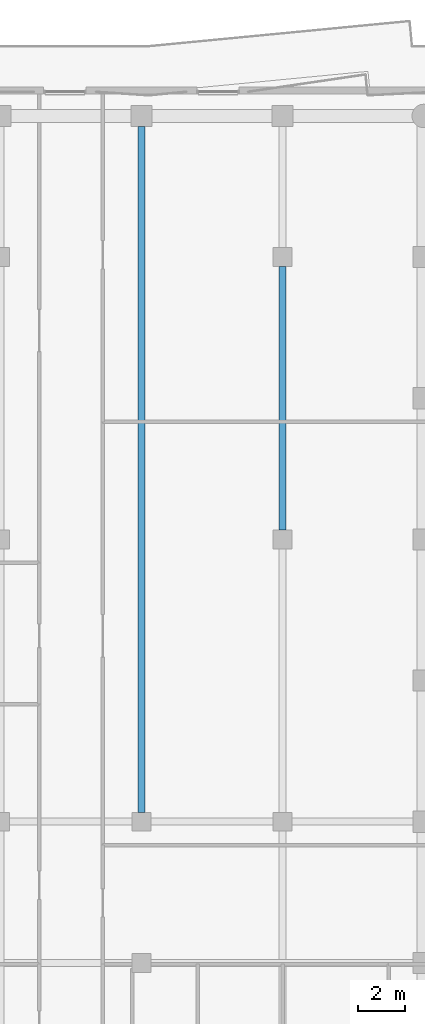
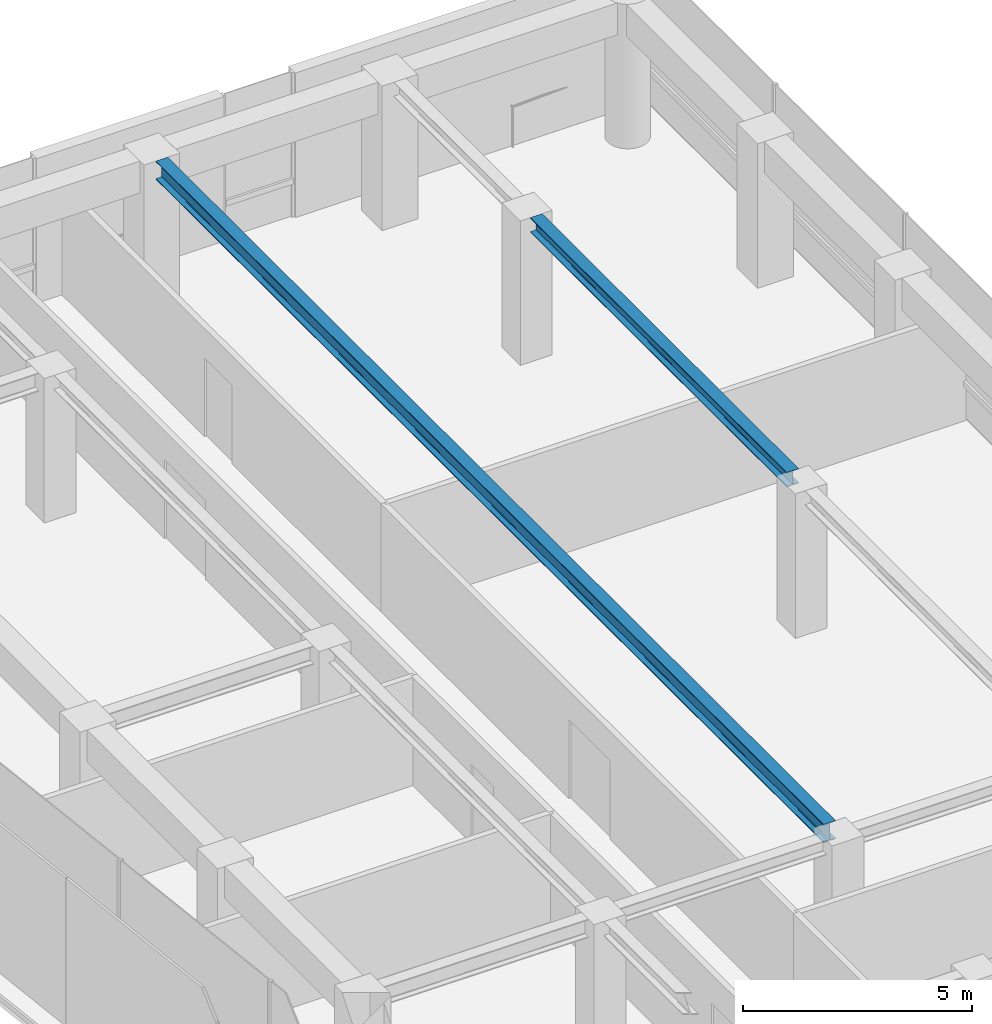
# One storey, part 12 of 23: 2 beams.
"""IFC4 building model written with IfcOpenShell, lengths in metres."""

import ifcopenshell
import ifcopenshell.guid

model = None  # the IFC model being written
_history = None  # IfcOwnerHistory: only IFC2X3 demands one
_inside = {}  # id of a spatial element -> (the spatial element, [elements in it])
_under = {}  # id of a project, library or spatial element -> (it, [spatial elements below it])
_declared = {}  # id of a project -> (the project, [libraries it declares])
_typed = {}  # id of a type object -> (the type object, [elements of that type])
_made_of = {}  # id of a material, layer set ... -> (it, [elements and type objects made of it])


def new_model(schema):
    """Start an empty IFC model of exactly this schema.

    Asked for "IFC4X3", IfcOpenShell would pick the latest addendum, in which some entities
    have other attributes; the version numbers below select the first issue.
    IFC2X3 requires an IfcOwnerHistory on every rooted entity: one is made here for all.
    """
    global model, _history
    if schema == "IFC4X3":
        model = ifcopenshell.file(schema_version=(4, 3, 0, 0))
    else:
        model = ifcopenshell.file(schema=schema)
    _inside.clear()
    _under.clear()
    _declared.clear()
    _typed.clear()
    _made_of.clear()
    _history = None
    if model.schema == "IFC2X3":
        org = make("IfcOrganization", Name="unknown")
        user = make(
            "IfcPersonAndOrganization",
            ThePerson=make("IfcPerson", FamilyName="unknown"),
            TheOrganization=org,
        )
        app = make(
            "IfcApplication",
            ApplicationDeveloper=org,
            Version="unknown",
            ApplicationFullName="unknown",
            ApplicationIdentifier="unknown",
        )
        _history = make(
            "IfcOwnerHistory",
            OwningUser=user,
            OwningApplication=app,
            ChangeAction="ADDED",
            CreationDate=0,
        )
    return model


def make(cls, **values):
    """One entity of the class cls with the attributes given. An attribute that is None is left unset."""
    return model.create_entity(
        cls, **{name: value for name, value in values.items() if value is not None}
    )


def rooted(cls, **values):
    """An entity with a GlobalId (a new one), such as an element, a storey or a relation."""
    return make(cls, GlobalId=ifcopenshell.guid.new(), OwnerHistory=_history, **values)


def si_unit(unit_type, name, prefix=None):
    """IfcSIUnit, for example si_unit("LENGTHUNIT", "METRE", prefix="MILLI")."""
    return make("IfcSIUnit", UnitType=unit_type, Prefix=prefix, Name=name)


def assignment(units):
    """IfcUnitAssignment: the units of a project."""
    return None if units is None else make("IfcUnitAssignment", Units=units)


def point(xyz):
    """IfcCartesianPoint."""
    return None if xyz is None else make("IfcCartesianPoint", Coordinates=xyz)


def direction(xyz):
    """IfcDirection."""
    return None if xyz is None else make("IfcDirection", DirectionRatios=xyz)


def frame(location, z_axis=None, x_axis=None):
    """IfcAxis2Placement3D, a coordinate frame: its origin and axes. An axis left out is left unset."""
    return make(
        "IfcAxis2Placement3D",
        Location=point(location),
        Axis=direction(z_axis),
        RefDirection=direction(x_axis),
    )


def frame_2d(location, x_axis=None):
    """IfcAxis2Placement2D, a coordinate frame in the plane: its origin and x axis."""
    return make(
        "IfcAxis2Placement2D", Location=point(location), RefDirection=direction(x_axis)
    )


def origin():
    """The frame at (0, 0, 0) with its axes left unset."""
    return frame((0.0, 0.0, 0.0))


def origin_2d():
    """The frame at (0, 0) in the plane with its x axis left unset."""
    return frame_2d((0.0, 0.0))


def place(relative_to, where):
    """IfcLocalPlacement: puts the frame where relative to a parent placement (None: the world)."""
    return make(
        "IfcLocalPlacement", PlacementRelTo=relative_to, RelativePlacement=where
    )


def context(
    kind, dimensions, precision=None, world=None, true_north=None, identifier=None
):
    """IfcGeometricRepresentationContext, for example the 3D "Model" context."""
    return make(
        "IfcGeometricRepresentationContext",
        ContextIdentifier=identifier,
        ContextType=kind,
        CoordinateSpaceDimension=dimensions,
        Precision=precision,
        WorldCoordinateSystem=world,
        TrueNorth=true_north,
    )


def subcontext(parent, identifier, kind, view, scale=None):
    """IfcGeometricRepresentationSubContext, for example "Body" below "Model"."""
    return make(
        "IfcGeometricRepresentationSubContext",
        ContextIdentifier=identifier,
        ContextType=kind,
        ParentContext=parent,
        TargetScale=scale,
        TargetView=view,
    )


def project(units=None, contexts=None):
    """IfcProject with its units and contexts."""
    return rooted(
        "IfcProject",
        Name="project",
        RepresentationContexts=contexts,
        UnitsInContext=assignment(units),
    )


def spatial(cls, under=None, at=None, **own):
    """A site, building, storey or space (cls), placed at a placement, below another one or the project."""
    s = rooted(cls, ObjectPlacement=at, **own)
    if under is not None:
        _under.setdefault(under.id(), (under, []))[1].append(s)
    return s


def profile(cls, at=None, kind="AREA", **sizes):
    """A parametric profile (cls). Its sizes go by their IFC names, for example OverallWidth=200.0."""
    return make(cls, ProfileType=kind, Position=at, **sizes)


def i_section(**sizes):
    """IfcIShapeProfileDef."""
    return profile("IfcIShapeProfileDef", **sizes)


def extrude(swept, where, along, depth):
    """IfcExtrudedAreaSolid: the profile swept, set in the frame where, extruded along a direction by depth."""
    return make(
        "IfcExtrudedAreaSolid",
        SweptArea=swept,
        Position=where,
        ExtrudedDirection=direction(along),
        Depth=depth,
    )


def shape(context_of_items, identifier, shape_type, items):
    """IfcShapeRepresentation: the items that make up one representation, for example the "Body"."""
    return make(
        "IfcShapeRepresentation",
        ContextOfItems=context_of_items,
        RepresentationIdentifier=identifier,
        RepresentationType=shape_type,
        Items=items,
    )


def material(Name=None, Category=None):
    """IfcMaterial."""
    return make("IfcMaterial", Name=Name, Category=Category)


def material_profile(
    of_material, cross_section, Name=None, Category=None, Priority=None
):
    """IfcMaterialProfile: a cross section and its material."""
    return make(
        "IfcMaterialProfile",
        Name=Name,
        Material=of_material,
        Profile=cross_section,
        Priority=Priority,
        Category=Category,
    )


def profile_set(profiles, Name=None, composite=None):
    """IfcMaterialProfileSet."""
    return make(
        "IfcMaterialProfileSet",
        Name=Name,
        MaterialProfiles=profiles,
        CompositeProfile=composite,
    )


def made_of(thing, what):
    """Note that an element or type object is made of a material, layer set ...; save() writes the relation."""
    if what is not None:
        _made_of.setdefault(what.id(), (what, []))[1].append(thing)
    return thing


def type_object(cls, material=None, **own):
    """A type object (cls), such as IfcWallType, which elements share."""
    return made_of(rooted(cls, **own), material)


def element(
    cls,
    number,
    at=None,
    inside=None,
    cuts=None,
    type_object=None,
    material=None,
    context=None,
    identifier="Body",
    shape_type=None,
    held_by="IfcProductDefinitionShape",
    body=None,
    shapes=None,
    **own,
):
    """One element of the class cls, such as IfcWall. Its Tag is "e" and its number.

    at: its placement. inside: the storey or other place that contains it. cuts: it is an
    opening in that element (IfcRelVoidsElement). A single representation is given by context,
    identifier, shape_type and body (its items); several are given by shapes. held_by: the class
    of the entity that holds the representations. save() writes the other relations.
    """
    e = rooted(cls, Tag="e%d" % number, ObjectPlacement=at, **own)
    if body is not None:
        shapes = [shape(context, identifier, shape_type, body)]
    if shapes is not None:
        e.Representation = make(held_by, Representations=shapes)
    if inside is not None:
        _inside.setdefault(inside.id(), (inside, []))[1].append(e)
    if cuts is not None:
        rooted(
            "IfcRelVoidsElement", RelatingBuildingElement=cuts, RelatedOpeningElement=e
        )
    if type_object is not None:
        _typed.setdefault(type_object.id(), (type_object, []))[1].append(e)
    return made_of(e, material)


def aggregate(whole, parts):
    """IfcRelAggregates: a whole, such as a stair, and the parts it consists of."""
    return rooted("IfcRelAggregates", RelatingObject=whole, RelatedObjects=parts)


def save(model, path):
    """Write the relations noted so far, then the file.

    IfcRelAggregates (storeys below a building ...), IfcRelContainedInSpatialStructure (elements
    in a storey), IfcRelDefinesByType, IfcRelAssociatesMaterial and IfcRelDeclares: one each for
    every whole, place, type object, material and project.
    """
    for whole, parts in _under.values():
        aggregate(whole, parts)
    for where, things in _inside.values():
        rooted(
            "IfcRelContainedInSpatialStructure",
            RelatedElements=things,
            RelatingStructure=where,
        )
    for kind, things in _typed.values():
        rooted("IfcRelDefinesByType", RelatedObjects=things, RelatingType=kind)
    for what, things in _made_of.values():
        rooted("IfcRelAssociatesMaterial", RelatedObjects=things, RelatingMaterial=what)
    for by, libraries in _declared.values():
        rooted("IfcRelDeclares", RelatingContext=by, RelatedDefinitions=libraries)
    model.write(path)


model = new_model("IFC4")

# Units and contexts
model_context = context("Model", 3, precision=1e-05, world=origin(), true_north=direction((0.0, 1.0)))
body_context = subcontext(model_context, "Body", "Model", "MODEL_VIEW")
ifc_project = project(units=[si_unit("LENGTHUNIT", "METRE"), si_unit("AREAUNIT", "SQUARE_METRE"), si_unit("VOLUMEUNIT", "CUBIC_METRE"), si_unit("PLANEANGLEUNIT", "RADIAN"), si_unit("MASSUNIT", "GRAM", prefix="KILO")], contexts=[model_context])

# Site, building, storey
site_placement = place(None, origin())
site = spatial("IfcSite", under=ifc_project, at=site_placement, CompositionType="ELEMENT")
building_placement = place(site_placement, origin())
building = spatial("IfcBuilding", under=site, at=building_placement, Name="Welwitschia Terrace Campus", CompositionType="ELEMENT")
storey_placement = place(building_placement, frame((0.0, 0.0, 205.39990234375)))
storey = spatial("IfcBuildingStorey", under=building, at=storey_placement, Name="L45", CompositionType="ELEMENT", Elevation=205.39990234375)

# Beams
ifc_material_1 = material(Name="Steel S355", Category="steel")
ifc_material_profile_1 = material_profile(ifc_material_1, i_section(OverallWidth=0.300048828125, OverallDepth=0.389892578125, WebThickness=0.010986328125, FlangeThickness=0.01904296875, FilletRadius=0.027099609375, at=origin_2d()))
ifc_profile_set_1 = profile_set([ifc_material_profile_1], Name="Steel S355")
beam_type_1 = type_object("IfcBeamType", Name="Interior girder HE 400 A", PredefinedType="BEAM", material=ifc_profile_set_1)
beam_1_placement = place(storey_placement, frame((18.0, 52.400390625, 3.655029296875), z_axis=(0.0, 1.0, 0.0), x_axis=(-1.0, 0.0, 0.0)))
element("IfcBeam", 1, at=beam_1_placement, inside=storey, type_object=beam_type_1, Name="Girder GB5", PredefinedType="BEAM", context=body_context, shape_type="SweptSolid", body=[
    extrude(i_section(OverallWidth=0.300048828125, OverallDepth=0.389892578125, WebThickness=0.010986328125, FlangeThickness=0.01904296875, FilletRadius=0.027099609375, at=origin_2d()), origin(), (0.0, 0.0, 1.0), 11.19921875),
])
ifc_material_2 = material(Name="Steel S355", Category="steel")
ifc_material_profile_2 = material_profile(ifc_material_2, i_section(OverallWidth=0.300048828125, OverallDepth=0.489990234375, WebThickness=0.011962890625, FlangeThickness=0.02294921875, FilletRadius=0.027099609375, at=origin_2d()))
ifc_profile_set_2 = profile_set([ifc_material_profile_2], Name="Steel S355")
beam_type_2 = type_object("IfcBeamType", Name="Primary beam HE 500 A", PredefinedType="BEAM", material=ifc_profile_set_2)
beam_2_placement = place(storey_placement, frame((12.0, 69.549560546875, 3.60498046875), z_axis=(0.0, -1.0, 0.0), x_axis=(1.0, 0.0, 0.0)))
element("IfcBeam", 2, at=beam_2_placement, inside=storey, type_object=beam_type_2, Name="Primary beam PB5", PredefinedType="BEAM", context=body_context, shape_type="SweptSolid", body=[
    extrude(i_section(OverallWidth=0.300048828125, OverallDepth=0.489990234375, WebThickness=0.011962890625, FlangeThickness=0.02294921875, FilletRadius=0.027099609375, at=origin_2d()), origin(), (0.0, 0.0, 1.0), 29.149169921875),
])

save(model, "model.ifc")
